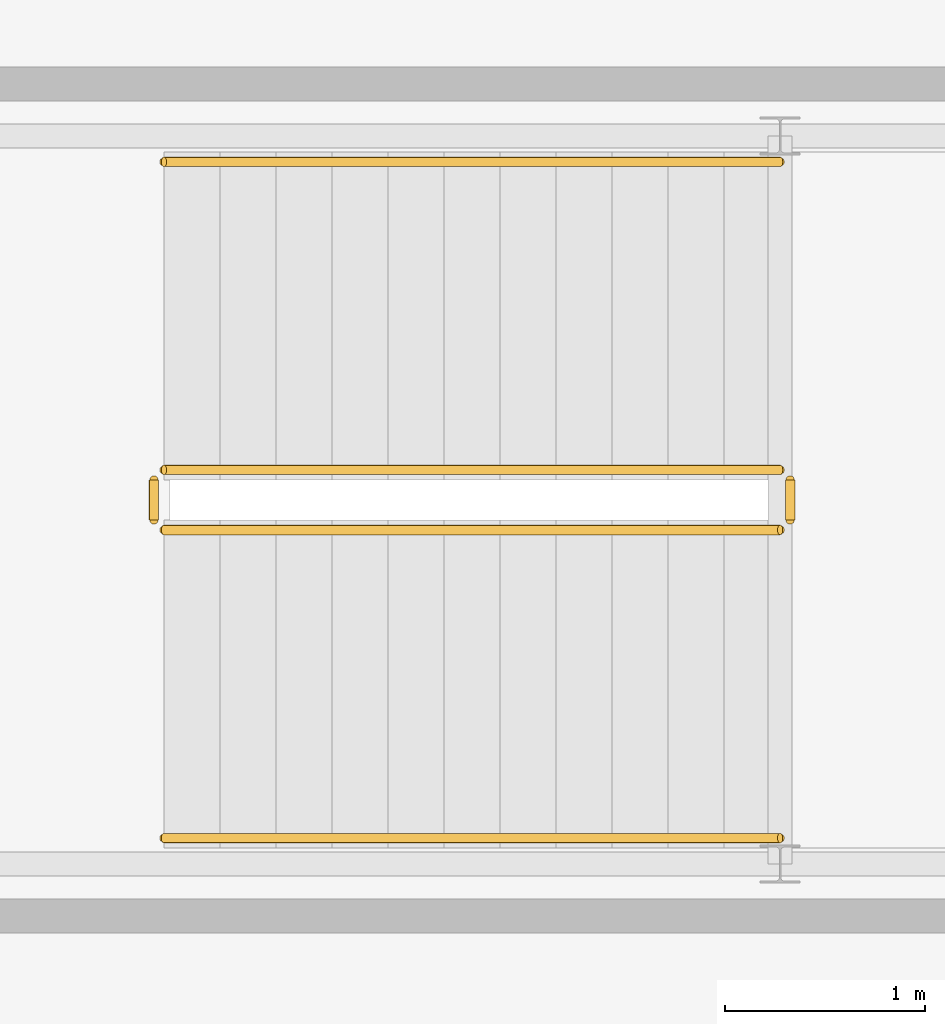
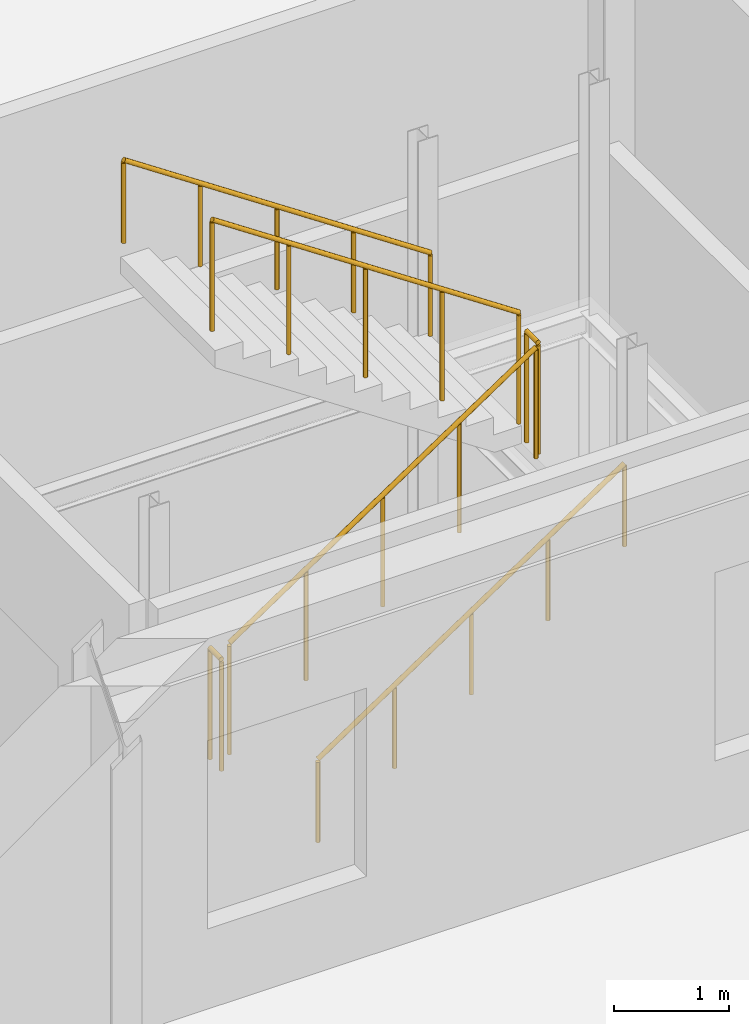
# One storey, part 77 of 78: 6 railings.
"""IFC4 building model written with IfcOpenShell, lengths in metres."""

from ifc_helpers import new_model, si_unit, direction, frame, origin, origin_2d, place, context, subcontext, project, spatial, circle, extrude, material, type_object, element, save


model = new_model("IFC4")

# Units and contexts
model_context = context("Model", 3, precision=1e-05, world=origin(), true_north=direction((0.0, 1.0)))
body_context = subcontext(model_context, "Body", "Model", "MODEL_VIEW")
ifc_project = project(units=[si_unit("LENGTHUNIT", "METRE"), si_unit("AREAUNIT", "SQUARE_METRE"), si_unit("VOLUMEUNIT", "CUBIC_METRE"), si_unit("PLANEANGLEUNIT", "RADIAN"), si_unit("MASSUNIT", "GRAM", prefix="KILO")], contexts=[model_context])

# Site, building, storey
site_placement = place(None, origin())
site = spatial("IfcSite", under=ifc_project, at=site_placement, CompositionType="ELEMENT")
building_placement = place(site_placement, origin())
building = spatial("IfcBuilding", under=site, at=building_placement, Name="Alderhovde Museum", CompositionType="ELEMENT")
storey_placement = place(building_placement, origin())
storey = spatial("IfcBuildingStorey", under=building, at=storey_placement, Name="L00", CompositionType="ELEMENT", Elevation=0.0)

# Railings
ifc_material_1 = material(Name="Painted Steel S355 Guardrail", Category="steel")
railing_type_1 = type_object("IfcRailingType", Name="RL-GUARD-1200", PredefinedType="GUARDRAIL", material=ifc_material_1)
railing_1_placement = place(storey_placement, frame((156.43994140625, 34.7900390625, 0.1875)))
element("IfcRailing", 1, at=railing_1_placement, inside=storey, type_object=railing_type_1, Name="L00 ST7 stair guard 1", PredefinedType="GUARDRAIL", context=body_context, shape_type="SweptSolid", body=[
    extrude(circle(Radius=0.02392578125, at=origin_2d()), frame((0.0, 0.0, 1.17578125), z_axis=(0.830913701846, 0.0, 0.55640131208), x_axis=(0.0, 1.0, 0.0)), (0.0, 0.0, 1.0), 3.706787109375),
    extrude(circle(Radius=0.02099609375, at=origin_2d()), origin(), (0.0, 0.0, 1.0), 1.15185546875),
    extrude(circle(Radius=0.02099609375, at=origin_2d()), frame((0.77001953125, 0.0, 0.515625)), (0.0, 0.0, 1.0), 1.15185546875),
    extrude(circle(Radius=0.02099609375, at=origin_2d()), frame((1.5400390625, 0.0, 1.03125)), (0.0, 0.0, 1.0), 1.15185546875),
    extrude(circle(Radius=0.02099609375, at=origin_2d()), frame((2.31005859375, 0.0, 1.546875)), (0.0, 0.0, 1.0), 1.15185546875),
    extrude(circle(Radius=0.02099609375, at=origin_2d()), frame((3.080078125, 0.0, 2.0625)), (0.0, 0.0, 1.0), 1.15185546875),
])
railing_2_placement = place(storey_placement, frame((159.570068359375, 34.840087890625, 2.25)))
element("IfcRailing", 2, at=railing_2_placement, inside=storey, type_object=railing_type_1, Name="L00 ST7 stair guard 2", PredefinedType="GUARDRAIL", context=body_context, shape_type="SweptSolid", body=[
    extrude(circle(Radius=0.02392578125, at=origin_2d()), frame((0.0, 0.0, 1.17578125), z_axis=(0.0, 1.0, 0.0), x_axis=(-1.0, 0.0, 0.0)), (0.0, 0.0, 1.0), 0.199951171875),
    extrude(circle(Radius=0.02099609375, at=origin_2d()), origin(), (0.0, 0.0, 1.0), 1.15185546875),
    extrude(circle(Radius=0.02099609375, at=origin_2d()), frame((0.0, 0.199951171875, 0.0)), (0.0, 0.0, 1.0), 1.15185546875),
])
railing_3_placement = place(storey_placement, frame((159.52001953125, 35.090087890625, 2.4375)))
element("IfcRailing", 3, at=railing_3_placement, inside=storey, type_object=railing_type_1, Name="L00 ST7 stair guard 3", PredefinedType="GUARDRAIL", context=body_context, shape_type="SweptSolid", body=[
    extrude(circle(Radius=0.02392578125, at=origin_2d()), frame((0.0, 0.0, 1.17578125), z_axis=(-0.830913701846, 0.0, 0.55640131208), x_axis=(0.0, -1.0, 0.0)), (0.0, 0.0, 1.0), 3.706787109375),
    extrude(circle(Radius=0.02099609375, at=origin_2d()), origin(), (0.0, 0.0, 1.0), 1.15185546875),
    extrude(circle(Radius=0.02099609375, at=origin_2d()), frame((-0.77001953125, 0.0, 0.515625)), (0.0, 0.0, 1.0), 1.15185546875),
    extrude(circle(Radius=0.02099609375, at=origin_2d()), frame((-1.5400390625, 0.0, 1.03125)), (0.0, 0.0, 1.0), 1.15185546875),
    extrude(circle(Radius=0.02099609375, at=origin_2d()), frame((-2.31005859375, 0.0, 1.546875)), (0.0, 0.0, 1.0), 1.15185546875),
    extrude(circle(Radius=0.02099609375, at=origin_2d()), frame((-3.080078125, 0.0, 2.0625)), (0.0, 0.0, 1.0), 1.15185546875),
])
railing_4_placement = place(storey_placement, frame((156.389892578125, 34.840087890625, 0.0)))
element("IfcRailing", 4, at=railing_4_placement, inside=storey, type_object=railing_type_1, Name="L00 ST7 stair guard 4", PredefinedType="GUARDRAIL", context=body_context, shape_type="SweptSolid", body=[
    extrude(circle(Radius=0.02392578125, at=origin_2d()), frame((0.0, 0.0, 1.17578125), z_axis=(0.0, 1.0, 0.0), x_axis=(-1.0, 0.0, 0.0)), (0.0, 0.0, 1.0), 0.199951171875),
    extrude(circle(Radius=0.02099609375, at=origin_2d()), origin(), (0.0, 0.0, 1.0), 1.15185546875),
    extrude(circle(Radius=0.02099609375, at=origin_2d()), frame((0.0, 0.199951171875, 0.0)), (0.0, 0.0, 1.0), 1.15185546875),
])
ifc_material_2 = material(Name="Brushed Stainless Steel Handrail", Category="steel")
railing_type_2 = type_object("IfcRailingType", Name="RL-HANDRAIL-900", PredefinedType="HANDRAIL", material=ifc_material_2)
railing_5_placement = place(storey_placement, frame((156.43994140625, 33.25, 0.1875)))
element("IfcRailing", 5, at=railing_5_placement, inside=storey, type_object=railing_type_2, Name="L00 ST7 stair handrail 1", PredefinedType="HANDRAIL", context=body_context, shape_type="SweptSolid", body=[
    extrude(circle(Radius=0.02392578125, at=origin_2d()), frame((0.0, 0.0, 0.8759765625), z_axis=(0.830913701846, 0.0, 0.55640131208), x_axis=(0.0, 1.0, 0.0)), (0.0, 0.0, 1.0), 3.706787109375),
    extrude(circle(Radius=0.02099609375, at=origin_2d()), origin(), (0.0, 0.0, 1.0), 0.851806640625),
    extrude(circle(Radius=0.02099609375, at=origin_2d()), frame((0.77001953125, 0.0, 0.515625)), (0.0, 0.0, 1.0), 0.851806640625),
    extrude(circle(Radius=0.02099609375, at=origin_2d()), frame((1.5400390625, 0.0, 1.03125)), (0.0, 0.0, 1.0), 0.851806640625),
    extrude(circle(Radius=0.02099609375, at=origin_2d()), frame((2.31005859375, 0.0, 1.546875)), (0.0, 0.0, 1.0), 0.851806640625),
    extrude(circle(Radius=0.02099609375, at=origin_2d()), frame((3.080078125, 0.0, 2.0625)), (0.0, 0.0, 1.0), 0.851806640625),
])
railing_6_placement = place(storey_placement, frame((159.52001953125, 36.6298828125, 2.4375)))
element("IfcRailing", 6, at=railing_6_placement, inside=storey, type_object=railing_type_2, Name="L00 ST7 stair handrail 2", PredefinedType="HANDRAIL", context=body_context, shape_type="SweptSolid", body=[
    extrude(circle(Radius=0.02392578125, at=origin_2d()), frame((0.0, 0.0, 0.8759765625), z_axis=(-0.830913701846, 0.0, 0.55640131208), x_axis=(0.0, -1.0, 0.0)), (0.0, 0.0, 1.0), 3.706787109375),
    extrude(circle(Radius=0.02099609375, at=origin_2d()), origin(), (0.0, 0.0, 1.0), 0.851806640625),
    extrude(circle(Radius=0.02099609375, at=origin_2d()), frame((-0.77001953125, 0.0, 0.515625)), (0.0, 0.0, 1.0), 0.851806640625),
    extrude(circle(Radius=0.02099609375, at=origin_2d()), frame((-1.5400390625, 0.0, 1.03125)), (0.0, 0.0, 1.0), 0.851806640625),
    extrude(circle(Radius=0.02099609375, at=origin_2d()), frame((-2.31005859375, 0.0, 1.546875)), (0.0, 0.0, 1.0), 0.851806640625),
    extrude(circle(Radius=0.02099609375, at=origin_2d()), frame((-3.080078125, 0.0, 2.0625)), (0.0, 0.0, 1.0), 0.851806640625),
])

save(model, "model.ifc")
